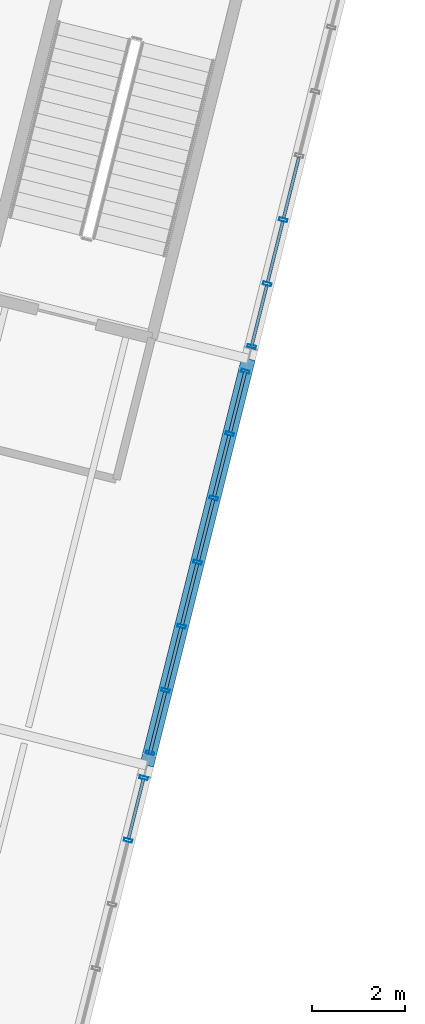
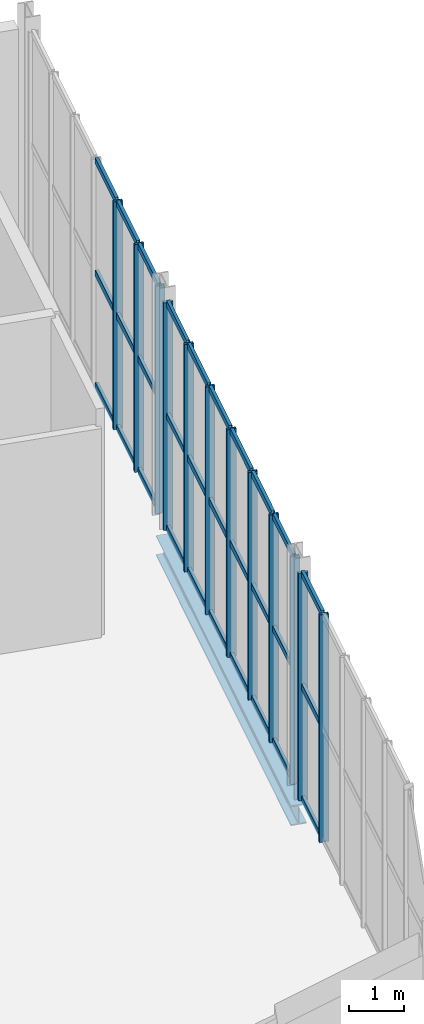
# One storey, part 99 of 158: 42 members, 1 beam, 3 elements without a shape of their own.
"""IFC4 building model written with IfcOpenShell, lengths in metres."""

from ifc_helpers import new_model, si_unit, derived_unit, direction, frame, origin, origin_2d, place, context, subcontext, project, spatial, hollow_rectangle, i_section, extrude, material, material_profile, profile_set, type_object, element, aggregate, save


model = new_model("IFC4")

# Units and contexts
model_context = context("Model", 3, precision=1e-05, world=origin(), true_north=direction((0.0, 1.0)))
body_context = subcontext(model_context, "Body", "Model", "MODEL_VIEW")
ifc_project = project(units=[si_unit("LENGTHUNIT", "METRE"), si_unit("AREAUNIT", "SQUARE_METRE"), si_unit("VOLUMEUNIT", "CUBIC_METRE"), si_unit("PLANEANGLEUNIT", "RADIAN"), si_unit("MASSUNIT", "GRAM", prefix="KILO"), si_unit("THERMODYNAMICTEMPERATUREUNIT", "KELVIN"), si_unit("TIMEUNIT", "SECOND"), derived_unit("THERMALTRANSMITTANCEUNIT", [(si_unit("MASSUNIT", "GRAM", prefix="KILO"), 1), (si_unit("THERMODYNAMICTEMPERATUREUNIT", "KELVIN"), -1), (si_unit("TIMEUNIT", "SECOND"), -3)])], contexts=[model_context])

# Site, building, storey
site_placement = place(None, origin())
site = spatial("IfcSite", under=ifc_project, at=site_placement, CompositionType="ELEMENT")
building_placement = place(site_placement, origin())
building = spatial("IfcBuilding", under=site, at=building_placement, Name="Cambertide Market Hall", CompositionType="ELEMENT")
storey_placement = place(building_placement, origin())
storey = spatial("IfcBuildingStorey", under=building, at=storey_placement, Name="L01", CompositionType="ELEMENT", Elevation=0.0)

# Curtain wall, members
ifc_material_1 = material(Name="Marine Anodized Aluminium 6063-T6 AA25", Category="aluminium")
curtain_wall_type = type_object("IfcCurtainWallType", Name="Cooking School Ground Showcase Wall", PredefinedType="USERDEFINED", material=ifc_material_1)
curtain_wall_1_placement = place(storey_placement, origin())
curtain_wall_1 = element("IfcCurtainWall", 1, at=curtain_wall_1_placement, inside=storey, type_object=curtain_wall_type, Name="Level 1 Curtain Wall CW-V4E-L01-1", ObjectType="UNITIZED CURTAIN WALL", PredefinedType="USERDEFINED")
ifc_material_2 = material(Name="Champagne Marine Anodized Aluminium 6063-T6 AA25", Category="aluminium")
ifc_material_profile_1 = material_profile(ifc_material_2, hollow_rectangle(XDim=0.06494140625, YDim=0.179931640625, WallThickness=0.00390625, at=origin_2d()), Name="ALU MULLION 65x180")
ifc_profile_set_1 = profile_set([ifc_material_profile_1], Name="Champagne Marine Anodized Aluminium 6063-T6 AA25")
member_type_1 = type_object("IfcMemberType", Name="Curtain Wall Mullion ALU MULLION 65x180", PredefinedType="MULLION", material=ifc_profile_set_1)
member_1_placement = place(storey_placement, frame((172.205322265625, 92.942138671875, 0.0), z_axis=(0.0, 0.0, 1.0), x_axis=(-0.242535569805, -0.970142513953, 0.0)))
member_1 = element("IfcMember", 2, at=member_1_placement, type_object=member_type_1, Name="CW-V4E-L01-1 Mullion 1", PredefinedType="MULLION", context=body_context, shape_type="SweptSolid", body=[
    extrude(hollow_rectangle(XDim=0.06494140625, YDim=0.179931640625, WallThickness=0.00390625, at=origin_2d()), origin(), (0.0, 0.0, 1.0), 5.10009765625),
])
member_2_placement = place(storey_placement, frame((171.869384765625, 91.5986328125, 0.0), z_axis=(0.0, 0.0, 1.0), x_axis=(-0.242535569805, -0.970142513953, 0.0)))
member_2 = element("IfcMember", 3, at=member_2_placement, type_object=member_type_1, Name="CW-V4E-L01-1 Mullion 2", PredefinedType="MULLION", context=body_context, shape_type="SweptSolid", body=[
    extrude(hollow_rectangle(XDim=0.06494140625, YDim=0.179931640625, WallThickness=0.00390625, at=origin_2d()), origin(), (0.0, 0.0, 1.0), 5.10009765625),
])

curtain_wall_2_placement = place(storey_placement, origin())
curtain_wall_2 = element("IfcCurtainWall", 4, at=curtain_wall_2_placement, inside=storey, type_object=curtain_wall_type, Name="Level 1 Curtain Wall CW-V4E-L01-2", ObjectType="UNITIZED CURTAIN WALL", PredefinedType="USERDEFINED")
member_3_placement = place(storey_placement, frame((174.38818359375, 101.673583984375, 0.0), z_axis=(0.0, 0.0, 1.0), x_axis=(-0.24253568027, -0.970142486337, 0.0)))
member_3 = element("IfcMember", 5, at=member_3_placement, type_object=member_type_1, Name="CW-V4E-L01-2 Mullion 1", PredefinedType="MULLION", context=body_context, shape_type="SweptSolid", body=[
    extrude(hollow_rectangle(XDim=0.06494140625, YDim=0.179931640625, WallThickness=0.00390625, at=origin_2d()), origin(), (0.0, 0.0, 1.0), 5.10009765625),
])
member_4_placement = place(storey_placement, frame((174.05224609375, 100.329833984375, 0.0), z_axis=(0.0, 0.0, 1.0), x_axis=(-0.24253568027, -0.970142486337, 0.0)))
member_4 = element("IfcMember", 6, at=member_4_placement, type_object=member_type_1, Name="CW-V4E-L01-2 Mullion 2", PredefinedType="MULLION", context=body_context, shape_type="SweptSolid", body=[
    extrude(hollow_rectangle(XDim=0.06494140625, YDim=0.179931640625, WallThickness=0.00390625, at=origin_2d()), origin(), (0.0, 0.0, 1.0), 5.10009765625),
])
member_5_placement = place(storey_placement, frame((173.707763671875, 98.9521484375, 0.0), z_axis=(0.0, 0.0, 1.0), x_axis=(-0.24253568027, -0.970142486337, 0.0)))
member_5 = element("IfcMember", 7, at=member_5_placement, type_object=member_type_1, Name="CW-V4E-L01-2 Mullion 3", PredefinedType="MULLION", context=body_context, shape_type="SweptSolid", body=[
    extrude(hollow_rectangle(XDim=0.06494140625, YDim=0.179931640625, WallThickness=0.00390625, at=origin_2d()), origin(), (0.0, 0.0, 1.0), 5.10009765625),
])
member_6_placement = place(storey_placement, frame((173.36328125, 97.57470703125, 0.0), z_axis=(0.0, 0.0, 1.0), x_axis=(-0.24253568027, -0.970142486337, 0.0)))
member_6 = element("IfcMember", 8, at=member_6_placement, type_object=member_type_1, Name="CW-V4E-L01-2 Mullion 4", PredefinedType="MULLION", context=body_context, shape_type="SweptSolid", body=[
    extrude(hollow_rectangle(XDim=0.06494140625, YDim=0.179931640625, WallThickness=0.00390625, at=origin_2d()), origin(), (0.0, 0.0, 1.0), 5.10009765625),
])
member_7_placement = place(storey_placement, frame((173.01904296875, 96.197021484375, 0.0), z_axis=(0.0, 0.0, 1.0), x_axis=(-0.24253568027, -0.970142486337, 0.0)))
member_7 = element("IfcMember", 9, at=member_7_placement, type_object=member_type_1, Name="CW-V4E-L01-2 Mullion 5", PredefinedType="MULLION", context=body_context, shape_type="SweptSolid", body=[
    extrude(hollow_rectangle(XDim=0.06494140625, YDim=0.179931640625, WallThickness=0.00390625, at=origin_2d()), origin(), (0.0, 0.0, 1.0), 5.10009765625),
])
member_8_placement = place(storey_placement, frame((172.674560546875, 94.8193359375, 0.0), z_axis=(0.0, 0.0, 1.0), x_axis=(-0.24253568027, -0.970142486337, 0.0)))
member_8 = element("IfcMember", 10, at=member_8_placement, type_object=member_type_1, Name="CW-V4E-L01-2 Mullion 6", PredefinedType="MULLION", context=body_context, shape_type="SweptSolid", body=[
    extrude(hollow_rectangle(XDim=0.06494140625, YDim=0.179931640625, WallThickness=0.00390625, at=origin_2d()), origin(), (0.0, 0.0, 1.0), 5.10009765625),
])
member_9_placement = place(storey_placement, frame((172.338623046875, 93.475830078125, 0.0), z_axis=(0.0, 0.0, 1.0), x_axis=(-0.24253568027, -0.970142486337, 0.0)))
member_9 = element("IfcMember", 11, at=member_9_placement, type_object=member_type_1, Name="CW-V4E-L01-2 Mullion 7", PredefinedType="MULLION", context=body_context, shape_type="SweptSolid", body=[
    extrude(hollow_rectangle(XDim=0.06494140625, YDim=0.179931640625, WallThickness=0.00390625, at=origin_2d()), origin(), (0.0, 0.0, 1.0), 5.10009765625),
])

curtain_wall_3_placement = place(storey_placement, origin())
curtain_wall_3 = element("IfcCurtainWall", 12, at=curtain_wall_3_placement, inside=storey, type_object=curtain_wall_type, Name="Level 1 Curtain Wall CW-V4E-L01-3", ObjectType="UNITIZED CURTAIN WALL", PredefinedType="USERDEFINED")
member_10_placement = place(storey_placement, frame((175.20166015625, 104.92822265625, 0.0), z_axis=(0.0, 0.0, 1.0), x_axis=(-0.242535569805, -0.970142513953, 0.0)))
member_10 = element("IfcMember", 13, at=member_10_placement, type_object=member_type_1, Name="CW-V4E-L01-3 Mullion 5", PredefinedType="MULLION", context=body_context, shape_type="SweptSolid", body=[
    extrude(hollow_rectangle(XDim=0.06494140625, YDim=0.179931640625, WallThickness=0.00390625, at=origin_2d()), origin(), (0.0, 0.0, 1.0), 5.10009765625),
])
member_11_placement = place(storey_placement, frame((174.857421875, 103.55078125, 0.0), z_axis=(0.0, 0.0, 1.0), x_axis=(-0.242535569805, -0.970142513953, 0.0)))
member_11 = element("IfcMember", 14, at=member_11_placement, type_object=member_type_1, Name="CW-V4E-L01-3 Mullion 6", PredefinedType="MULLION", context=body_context, shape_type="SweptSolid", body=[
    extrude(hollow_rectangle(XDim=0.06494140625, YDim=0.179931640625, WallThickness=0.00390625, at=origin_2d()), origin(), (0.0, 0.0, 1.0), 5.10009765625),
])
member_12_placement = place(storey_placement, frame((174.521484375, 102.20703125, 0.0), z_axis=(0.0, 0.0, 1.0), x_axis=(-0.242535569805, -0.970142513953, 0.0)))
member_12 = element("IfcMember", 15, at=member_12_placement, type_object=member_type_1, Name="CW-V4E-L01-3 Mullion 7", PredefinedType="MULLION", context=body_context, shape_type="SweptSolid", body=[
    extrude(hollow_rectangle(XDim=0.06494140625, YDim=0.179931640625, WallThickness=0.00390625, at=origin_2d()), origin(), (0.0, 0.0, 1.0), 5.10009765625),
])

# Member
ifc_material_3 = material(Name="Champagne Marine Anodized Aluminium 6063-T6 AA25", Category="aluminium")
ifc_material_profile_2 = material_profile(ifc_material_3, hollow_rectangle(XDim=0.06494140625, YDim=0.139892578125, WallThickness=0.00341796875, at=origin_2d()), Name="ALU TRANSOM 65x140")
ifc_profile_set_2 = profile_set([ifc_material_profile_2], Name="Champagne Marine Anodized Aluminium 6063-T6 AA25")
member_type_2 = type_object("IfcMemberType", Name="Curtain Wall Transom ALU TRANSOM 65x140", PredefinedType="USERDEFINED", material=ifc_profile_set_2)
member_13_placement = place(storey_placement, frame((172.2041015625, 92.937255859375, 0.034912109375), z_axis=(-0.242535625036, -0.970142500145, 0.0), x_axis=(0.970142500145, -0.242535625036, 0.0)))
member_13 = element("IfcMember", 16, at=member_13_placement, type_object=member_type_2, Name="CW-V4E-L01-1 Transom 1-1", ObjectType="TRANSOM", PredefinedType="USERDEFINED", context=body_context, shape_type="SweptSolid", body=[
    extrude(hollow_rectangle(XDim=0.06494140625, YDim=0.139892578125, WallThickness=0.00341796875, at=origin_2d()), origin(), (0.0, 0.0, 1.0), 1.33984375),
])

member_14_placement = place(storey_placement, frame((172.2041015625, 92.937255859375, 2.550048828125), z_axis=(-0.242535625036, -0.970142500145, 0.0), x_axis=(0.970142500145, -0.242535625036, 0.0)))
member_14 = element("IfcMember", 17, at=member_14_placement, type_object=member_type_2, Name="CW-V4E-L01-1 Transom 2-1", ObjectType="TRANSOM", PredefinedType="USERDEFINED", context=body_context, shape_type="SweptSolid", body=[
    extrude(hollow_rectangle(XDim=0.06494140625, YDim=0.139892578125, WallThickness=0.00341796875, at=origin_2d()), origin(), (0.0, 0.0, 1.0), 1.33984375),
])

member_15_placement = place(storey_placement, frame((172.2041015625, 92.937255859375, 5.06494140625), z_axis=(-0.242535625036, -0.970142500145, 0.0), x_axis=(0.970142500145, -0.242535625036, 0.0)))
member_15 = element("IfcMember", 18, at=member_15_placement, type_object=member_type_2, Name="CW-V4E-L01-1 Transom 3-1", ObjectType="TRANSOM", PredefinedType="USERDEFINED", context=body_context, shape_type="SweptSolid", body=[
    extrude(hollow_rectangle(XDim=0.06494140625, YDim=0.139892578125, WallThickness=0.00341796875, at=origin_2d()), origin(), (0.0, 0.0, 1.0), 1.33984375),
])

aggregate(curtain_wall_1, [member_1, member_2, member_13, member_14, member_15])

member_16_placement = place(storey_placement, frame((174.386962890625, 101.668701171875, 0.034912109375), z_axis=(-0.242664220797, -0.970110342149, 0.0), x_axis=(0.970110342149, -0.242664220797, 0.0)))
member_16 = element("IfcMember", 19, at=member_16_placement, type_object=member_type_2, Name="CW-V4E-L01-2 Transom 1-1", ObjectType="TRANSOM", PredefinedType="USERDEFINED", context=body_context, shape_type="SweptSolid", body=[
    extrude(hollow_rectangle(XDim=0.06494140625, YDim=0.139892578125, WallThickness=0.00341796875, at=origin_2d()), origin(), (0.0, 0.0, 1.0), 1.340087890625),
])

member_17_placement = place(storey_placement, frame((174.04248046875, 100.291015625, 0.034912109375), z_axis=(-0.242492756941, -0.970153216163, 0.0), x_axis=(0.970153216163, -0.242492756941, 0.0)))
member_17 = element("IfcMember", 20, at=member_17_placement, type_object=member_type_2, Name="CW-V4E-L01-2 Transom 1-2", ObjectType="TRANSOM", PredefinedType="USERDEFINED", context=body_context, shape_type="SweptSolid", body=[
    extrude(hollow_rectangle(XDim=0.06494140625, YDim=0.139892578125, WallThickness=0.00341796875, at=origin_2d()), origin(), (0.0, 0.0, 1.0), 1.340087890625),
])

member_18_placement = place(storey_placement, frame((173.697998046875, 98.913330078125, 0.034912109375), z_axis=(-0.242535625036, -0.970142500145, 0.0), x_axis=(0.970142500145, -0.242535625036, 0.0)))
member_18 = element("IfcMember", 21, at=member_18_placement, type_object=member_type_2, Name="CW-V4E-L01-2 Transom 1-3", ObjectType="TRANSOM", PredefinedType="USERDEFINED", context=body_context, shape_type="SweptSolid", body=[
    extrude(hollow_rectangle(XDim=0.06494140625, YDim=0.139892578125, WallThickness=0.00341796875, at=origin_2d()), origin(), (0.0, 0.0, 1.0), 1.33984375),
])

member_19_placement = place(storey_placement, frame((173.353759765625, 97.535888671875, 0.034912109375), z_axis=(-0.242664220797, -0.970110342149, 0.0), x_axis=(0.970110342149, -0.242664220797, 0.0)))
member_19 = element("IfcMember", 22, at=member_19_placement, type_object=member_type_2, Name="CW-V4E-L01-2 Transom 1-4", ObjectType="TRANSOM", PredefinedType="USERDEFINED", context=body_context, shape_type="SweptSolid", body=[
    extrude(hollow_rectangle(XDim=0.06494140625, YDim=0.139892578125, WallThickness=0.00341796875, at=origin_2d()), origin(), (0.0, 0.0, 1.0), 1.340087890625),
])

member_20_placement = place(storey_placement, frame((173.00927734375, 96.158203125, 0.034912109375), z_axis=(-0.242492756941, -0.970153216163, 0.0), x_axis=(0.970153216163, -0.242492756941, 0.0)))
member_20 = element("IfcMember", 23, at=member_20_placement, type_object=member_type_2, Name="CW-V4E-L01-2 Transom 1-5", ObjectType="TRANSOM", PredefinedType="USERDEFINED", context=body_context, shape_type="SweptSolid", body=[
    extrude(hollow_rectangle(XDim=0.06494140625, YDim=0.139892578125, WallThickness=0.00341796875, at=origin_2d()), origin(), (0.0, 0.0, 1.0), 1.340087890625),
])

member_21_placement = place(storey_placement, frame((172.664794921875, 94.780517578125, 0.034912109375), z_axis=(-0.242535625036, -0.970142500145, 0.0), x_axis=(0.970142500145, -0.242535625036, 0.0)))
member_21 = element("IfcMember", 24, at=member_21_placement, type_object=member_type_2, Name="CW-V4E-L01-2 Transom 1-6", ObjectType="TRANSOM", PredefinedType="USERDEFINED", context=body_context, shape_type="SweptSolid", body=[
    extrude(hollow_rectangle(XDim=0.06494140625, YDim=0.139892578125, WallThickness=0.00341796875, at=origin_2d()), origin(), (0.0, 0.0, 1.0), 1.33984375),
])

member_22_placement = place(storey_placement, frame((174.386962890625, 101.668701171875, 2.550048828125), z_axis=(-0.242664220797, -0.970110342149, 0.0), x_axis=(0.970110342149, -0.242664220797, 0.0)))
member_22 = element("IfcMember", 25, at=member_22_placement, type_object=member_type_2, Name="CW-V4E-L01-2 Transom 2-1", ObjectType="TRANSOM", PredefinedType="USERDEFINED", context=body_context, shape_type="SweptSolid", body=[
    extrude(hollow_rectangle(XDim=0.06494140625, YDim=0.139892578125, WallThickness=0.00341796875, at=origin_2d()), origin(), (0.0, 0.0, 1.0), 1.340087890625),
])

member_23_placement = place(storey_placement, frame((174.04248046875, 100.291015625, 2.550048828125), z_axis=(-0.242492756941, -0.970153216163, 0.0), x_axis=(0.970153216163, -0.242492756941, 0.0)))
member_23 = element("IfcMember", 26, at=member_23_placement, type_object=member_type_2, Name="CW-V4E-L01-2 Transom 2-2", ObjectType="TRANSOM", PredefinedType="USERDEFINED", context=body_context, shape_type="SweptSolid", body=[
    extrude(hollow_rectangle(XDim=0.06494140625, YDim=0.139892578125, WallThickness=0.00341796875, at=origin_2d()), origin(), (0.0, 0.0, 1.0), 1.340087890625),
])

member_24_placement = place(storey_placement, frame((173.697998046875, 98.913330078125, 2.550048828125), z_axis=(-0.242535625036, -0.970142500145, 0.0), x_axis=(0.970142500145, -0.242535625036, 0.0)))
member_24 = element("IfcMember", 27, at=member_24_placement, type_object=member_type_2, Name="CW-V4E-L01-2 Transom 2-3", ObjectType="TRANSOM", PredefinedType="USERDEFINED", context=body_context, shape_type="SweptSolid", body=[
    extrude(hollow_rectangle(XDim=0.06494140625, YDim=0.139892578125, WallThickness=0.00341796875, at=origin_2d()), origin(), (0.0, 0.0, 1.0), 1.33984375),
])

member_25_placement = place(storey_placement, frame((173.353759765625, 97.535888671875, 2.550048828125), z_axis=(-0.242664220797, -0.970110342149, 0.0), x_axis=(0.970110342149, -0.242664220797, 0.0)))
member_25 = element("IfcMember", 28, at=member_25_placement, type_object=member_type_2, Name="CW-V4E-L01-2 Transom 2-4", ObjectType="TRANSOM", PredefinedType="USERDEFINED", context=body_context, shape_type="SweptSolid", body=[
    extrude(hollow_rectangle(XDim=0.06494140625, YDim=0.139892578125, WallThickness=0.00341796875, at=origin_2d()), origin(), (0.0, 0.0, 1.0), 1.340087890625),
])

member_26_placement = place(storey_placement, frame((173.00927734375, 96.158203125, 2.550048828125), z_axis=(-0.242492756941, -0.970153216163, 0.0), x_axis=(0.970153216163, -0.242492756941, 0.0)))
member_26 = element("IfcMember", 29, at=member_26_placement, type_object=member_type_2, Name="CW-V4E-L01-2 Transom 2-5", ObjectType="TRANSOM", PredefinedType="USERDEFINED", context=body_context, shape_type="SweptSolid", body=[
    extrude(hollow_rectangle(XDim=0.06494140625, YDim=0.139892578125, WallThickness=0.00341796875, at=origin_2d()), origin(), (0.0, 0.0, 1.0), 1.340087890625),
])

member_27_placement = place(storey_placement, frame((172.664794921875, 94.780517578125, 2.550048828125), z_axis=(-0.242535625036, -0.970142500145, 0.0), x_axis=(0.970142500145, -0.242535625036, 0.0)))
member_27 = element("IfcMember", 30, at=member_27_placement, type_object=member_type_2, Name="CW-V4E-L01-2 Transom 2-6", ObjectType="TRANSOM", PredefinedType="USERDEFINED", context=body_context, shape_type="SweptSolid", body=[
    extrude(hollow_rectangle(XDim=0.06494140625, YDim=0.139892578125, WallThickness=0.00341796875, at=origin_2d()), origin(), (0.0, 0.0, 1.0), 1.33984375),
])

member_28_placement = place(storey_placement, frame((174.386962890625, 101.668701171875, 5.06494140625), z_axis=(-0.242664220797, -0.970110342149, 0.0), x_axis=(0.970110342149, -0.242664220797, 0.0)))
member_28 = element("IfcMember", 31, at=member_28_placement, type_object=member_type_2, Name="CW-V4E-L01-2 Transom 3-1", ObjectType="TRANSOM", PredefinedType="USERDEFINED", context=body_context, shape_type="SweptSolid", body=[
    extrude(hollow_rectangle(XDim=0.06494140625, YDim=0.139892578125, WallThickness=0.00341796875, at=origin_2d()), origin(), (0.0, 0.0, 1.0), 1.340087890625),
])

member_29_placement = place(storey_placement, frame((174.04248046875, 100.291015625, 5.06494140625), z_axis=(-0.242492756941, -0.970153216163, 0.0), x_axis=(0.970153216163, -0.242492756941, 0.0)))
member_29 = element("IfcMember", 32, at=member_29_placement, type_object=member_type_2, Name="CW-V4E-L01-2 Transom 3-2", ObjectType="TRANSOM", PredefinedType="USERDEFINED", context=body_context, shape_type="SweptSolid", body=[
    extrude(hollow_rectangle(XDim=0.06494140625, YDim=0.139892578125, WallThickness=0.00341796875, at=origin_2d()), origin(), (0.0, 0.0, 1.0), 1.340087890625),
])

member_30_placement = place(storey_placement, frame((173.697998046875, 98.913330078125, 5.06494140625), z_axis=(-0.242535625036, -0.970142500145, 0.0), x_axis=(0.970142500145, -0.242535625036, 0.0)))
member_30 = element("IfcMember", 33, at=member_30_placement, type_object=member_type_2, Name="CW-V4E-L01-2 Transom 3-3", ObjectType="TRANSOM", PredefinedType="USERDEFINED", context=body_context, shape_type="SweptSolid", body=[
    extrude(hollow_rectangle(XDim=0.06494140625, YDim=0.139892578125, WallThickness=0.00341796875, at=origin_2d()), origin(), (0.0, 0.0, 1.0), 1.33984375),
])

member_31_placement = place(storey_placement, frame((173.353759765625, 97.535888671875, 5.06494140625), z_axis=(-0.242664220797, -0.970110342149, 0.0), x_axis=(0.970110342149, -0.242664220797, 0.0)))
member_31 = element("IfcMember", 34, at=member_31_placement, type_object=member_type_2, Name="CW-V4E-L01-2 Transom 3-4", ObjectType="TRANSOM", PredefinedType="USERDEFINED", context=body_context, shape_type="SweptSolid", body=[
    extrude(hollow_rectangle(XDim=0.06494140625, YDim=0.139892578125, WallThickness=0.00341796875, at=origin_2d()), origin(), (0.0, 0.0, 1.0), 1.340087890625),
])

member_32_placement = place(storey_placement, frame((173.00927734375, 96.158203125, 5.06494140625), z_axis=(-0.242492756941, -0.970153216163, 0.0), x_axis=(0.970153216163, -0.242492756941, 0.0)))
member_32 = element("IfcMember", 35, at=member_32_placement, type_object=member_type_2, Name="CW-V4E-L01-2 Transom 3-5", ObjectType="TRANSOM", PredefinedType="USERDEFINED", context=body_context, shape_type="SweptSolid", body=[
    extrude(hollow_rectangle(XDim=0.06494140625, YDim=0.139892578125, WallThickness=0.00341796875, at=origin_2d()), origin(), (0.0, 0.0, 1.0), 1.340087890625),
])

member_33_placement = place(storey_placement, frame((172.664794921875, 94.780517578125, 5.06494140625), z_axis=(-0.242535625036, -0.970142500145, 0.0), x_axis=(0.970142500145, -0.242535625036, 0.0)))
member_33 = element("IfcMember", 36, at=member_33_placement, type_object=member_type_2, Name="CW-V4E-L01-2 Transom 3-6", ObjectType="TRANSOM", PredefinedType="USERDEFINED", context=body_context, shape_type="SweptSolid", body=[
    extrude(hollow_rectangle(XDim=0.06494140625, YDim=0.139892578125, WallThickness=0.00341796875, at=origin_2d()), origin(), (0.0, 0.0, 1.0), 1.33984375),
])

aggregate(curtain_wall_2, [member_3, member_4, member_5, member_6, member_7, member_8, member_9, member_16, member_17, member_18, member_19, member_20, member_21, member_22, member_23, member_24, member_25, member_26, member_27, member_28, member_29, member_30, member_31, member_32, member_33])

member_34_placement = place(storey_placement, frame((175.536376953125, 106.26708984375, 0.034912109375), z_axis=(-0.242492756941, -0.970153216163, 0.0), x_axis=(0.970153216163, -0.242492756941, 0.0)))
member_34 = element("IfcMember", 37, at=member_34_placement, type_object=member_type_2, Name="CW-V4E-L01-3 Transom 1-4", ObjectType="TRANSOM", PredefinedType="USERDEFINED", context=body_context, shape_type="SweptSolid", body=[
    extrude(hollow_rectangle(XDim=0.06494140625, YDim=0.139892578125, WallThickness=0.00341796875, at=origin_2d()), origin(), (0.0, 0.0, 1.0), 1.340087890625),
])

member_35_placement = place(storey_placement, frame((175.192138671875, 104.889404296875, 0.034912109375), z_axis=(-0.242535625036, -0.970142500145, 0.0), x_axis=(0.970142500145, -0.242535625036, 0.0)))
member_35 = element("IfcMember", 38, at=member_35_placement, type_object=member_type_2, Name="CW-V4E-L01-3 Transom 1-5", ObjectType="TRANSOM", PredefinedType="USERDEFINED", context=body_context, shape_type="SweptSolid", body=[
    extrude(hollow_rectangle(XDim=0.06494140625, YDim=0.139892578125, WallThickness=0.00341796875, at=origin_2d()), origin(), (0.0, 0.0, 1.0), 1.33984375),
])

member_36_placement = place(storey_placement, frame((174.84765625, 103.511962890625, 0.034912109375), z_axis=(-0.242492756941, -0.970153216163, 0.0), x_axis=(0.970153216163, -0.242492756941, 0.0)))
member_36 = element("IfcMember", 39, at=member_36_placement, type_object=member_type_2, Name="CW-V4E-L01-3 Transom 1-6", ObjectType="TRANSOM", PredefinedType="USERDEFINED", context=body_context, shape_type="SweptSolid", body=[
    extrude(hollow_rectangle(XDim=0.06494140625, YDim=0.139892578125, WallThickness=0.00341796875, at=origin_2d()), origin(), (0.0, 0.0, 1.0), 1.340087890625),
])

member_37_placement = place(storey_placement, frame((175.536376953125, 106.26708984375, 2.550048828125), z_axis=(-0.242492756941, -0.970153216163, 0.0), x_axis=(0.970153216163, -0.242492756941, 0.0)))
member_37 = element("IfcMember", 40, at=member_37_placement, type_object=member_type_2, Name="CW-V4E-L01-3 Transom 2-4", ObjectType="TRANSOM", PredefinedType="USERDEFINED", context=body_context, shape_type="SweptSolid", body=[
    extrude(hollow_rectangle(XDim=0.06494140625, YDim=0.139892578125, WallThickness=0.00341796875, at=origin_2d()), origin(), (0.0, 0.0, 1.0), 1.340087890625),
])

member_38_placement = place(storey_placement, frame((175.192138671875, 104.889404296875, 2.550048828125), z_axis=(-0.242535625036, -0.970142500145, 0.0), x_axis=(0.970142500145, -0.242535625036, 0.0)))
member_38 = element("IfcMember", 41, at=member_38_placement, type_object=member_type_2, Name="CW-V4E-L01-3 Transom 2-5", ObjectType="TRANSOM", PredefinedType="USERDEFINED", context=body_context, shape_type="SweptSolid", body=[
    extrude(hollow_rectangle(XDim=0.06494140625, YDim=0.139892578125, WallThickness=0.00341796875, at=origin_2d()), origin(), (0.0, 0.0, 1.0), 1.33984375),
])

member_39_placement = place(storey_placement, frame((174.84765625, 103.511962890625, 2.550048828125), z_axis=(-0.242492756941, -0.970153216163, 0.0), x_axis=(0.970153216163, -0.242492756941, 0.0)))
member_39 = element("IfcMember", 42, at=member_39_placement, type_object=member_type_2, Name="CW-V4E-L01-3 Transom 2-6", ObjectType="TRANSOM", PredefinedType="USERDEFINED", context=body_context, shape_type="SweptSolid", body=[
    extrude(hollow_rectangle(XDim=0.06494140625, YDim=0.139892578125, WallThickness=0.00341796875, at=origin_2d()), origin(), (0.0, 0.0, 1.0), 1.340087890625),
])

member_40_placement = place(storey_placement, frame((175.536376953125, 106.26708984375, 5.06494140625), z_axis=(-0.242492756941, -0.970153216163, 0.0), x_axis=(0.970153216163, -0.242492756941, 0.0)))
member_40 = element("IfcMember", 43, at=member_40_placement, type_object=member_type_2, Name="CW-V4E-L01-3 Transom 3-4", ObjectType="TRANSOM", PredefinedType="USERDEFINED", context=body_context, shape_type="SweptSolid", body=[
    extrude(hollow_rectangle(XDim=0.06494140625, YDim=0.139892578125, WallThickness=0.00341796875, at=origin_2d()), origin(), (0.0, 0.0, 1.0), 1.340087890625),
])

member_41_placement = place(storey_placement, frame((175.192138671875, 104.889404296875, 5.06494140625), z_axis=(-0.242535625036, -0.970142500145, 0.0), x_axis=(0.970142500145, -0.242535625036, 0.0)))
member_41 = element("IfcMember", 44, at=member_41_placement, type_object=member_type_2, Name="CW-V4E-L01-3 Transom 3-5", ObjectType="TRANSOM", PredefinedType="USERDEFINED", context=body_context, shape_type="SweptSolid", body=[
    extrude(hollow_rectangle(XDim=0.06494140625, YDim=0.139892578125, WallThickness=0.00341796875, at=origin_2d()), origin(), (0.0, 0.0, 1.0), 1.33984375),
])

member_42_placement = place(storey_placement, frame((174.84765625, 103.511962890625, 5.06494140625), z_axis=(-0.242492756941, -0.970153216163, 0.0), x_axis=(0.970153216163, -0.242492756941, 0.0)))
member_42 = element("IfcMember", 45, at=member_42_placement, type_object=member_type_2, Name="CW-V4E-L01-3 Transom 3-6", ObjectType="TRANSOM", PredefinedType="USERDEFINED", context=body_context, shape_type="SweptSolid", body=[
    extrude(hollow_rectangle(XDim=0.06494140625, YDim=0.139892578125, WallThickness=0.00341796875, at=origin_2d()), origin(), (0.0, 0.0, 1.0), 1.340087890625),
])

aggregate(curtain_wall_3, [member_10, member_11, member_12, member_34, member_35, member_36, member_37, member_38, member_39, member_40, member_41, member_42])

# Beam
ifc_material_4 = material(Name="Steel S355", Category="steel")
ifc_material_profile_3 = material_profile(ifc_material_4, i_section(OverallWidth=0.300048828125, OverallDepth=0.449951171875, WebThickness=0.013916015625, FlangeThickness=0.02587890625, FilletRadius=0.027099609375, at=origin_2d()), Name="HEB 450")
ifc_profile_set_3 = profile_set([ifc_material_profile_3], Name="Steel S355")
beam_type = type_object("IfcBeamType", Name="Steel Girder HEB 450", PredefinedType="BEAM", material=ifc_profile_set_3)
beam_placement = place(storey_placement, frame((172.27197265625, 93.208984375, -0.52490234375), z_axis=(0.242542007841, 0.970140904422, 0.0), x_axis=(-0.970140904422, 0.242542007841, 0.0)))
element("IfcBeam", 46, at=beam_placement, inside=storey, type_object=beam_type, Name="Level 1 Beam BM-V4V-L01-9-2", PredefinedType="BEAM", context=body_context, shape_type="SweptSolid", body=[
    extrude(i_section(OverallWidth=0.300048828125, OverallDepth=0.449951171875, WebThickness=0.013916015625, FlangeThickness=0.02587890625, FilletRadius=0.027099609375, at=origin_2d()), origin(), (0.0, 0.0, 1.0), 9.0),
])

save(model, "model.ifc")
